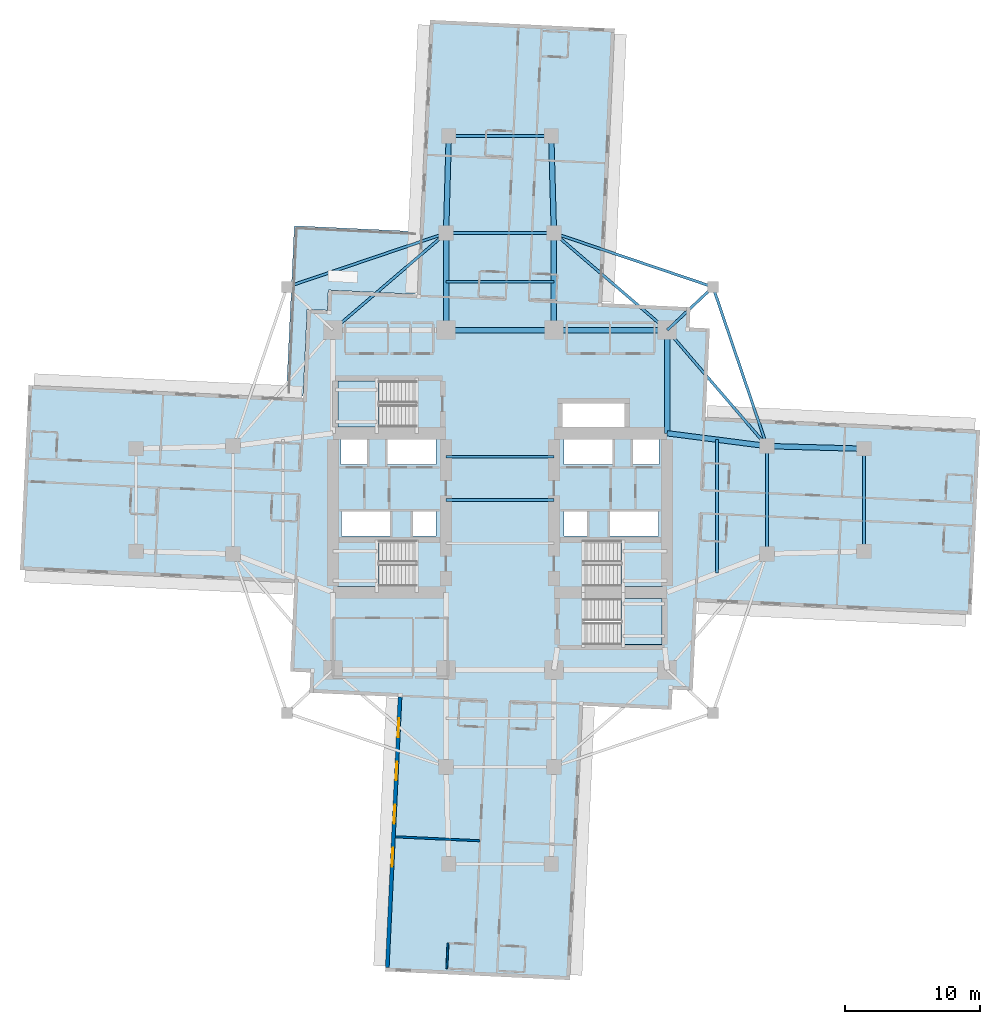
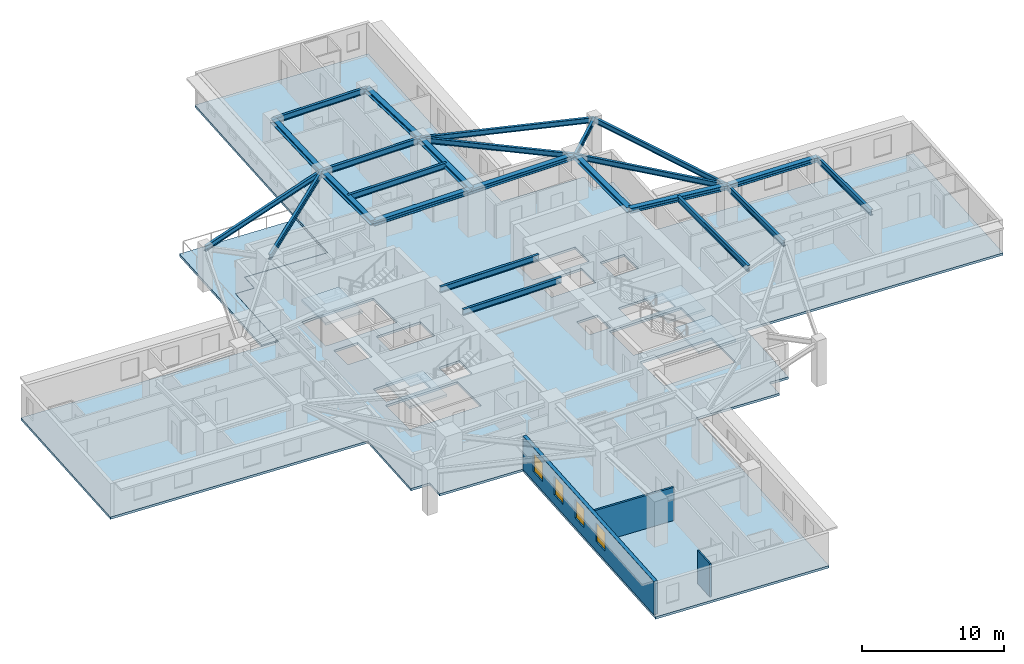
# One storey, part 2 of 13: 24 beams, 6 slabs, 4 windows, 3 walls, 4 openings, 4 elements without a shape of their own.
"""IFC4 building model written with IfcOpenShell, lengths in metres."""

from ifc_helpers import new_model, si_unit, direction, frame, frame_2d, origin, origin_2d, place, context, subcontext, project, spatial, polyline, rectangle, i_section, outline, extrude, material, layer, layer_set, material_profile, profile_set, type_object, element, fill, aggregate, save


model = new_model("IFC4")

# Units and contexts
model_context = context("Model", 3, precision=1e-05, world=origin(), true_north=direction((0.0, 1.0)))
body_context = subcontext(model_context, "Body", "Model", "MODEL_VIEW")
ifc_project = project(units=[si_unit("LENGTHUNIT", "METRE"), si_unit("AREAUNIT", "SQUARE_METRE"), si_unit("VOLUMEUNIT", "CUBIC_METRE"), si_unit("PLANEANGLEUNIT", "RADIAN"), si_unit("MASSUNIT", "GRAM", prefix="KILO")], contexts=[model_context])

# Site, building, storey
site_placement = place(None, origin())
site = spatial("IfcSite", under=ifc_project, at=site_placement, CompositionType="ELEMENT")
building_placement = place(site_placement, origin())
building = spatial("IfcBuilding", under=site, at=building_placement, Name="Qingluan Cross Belvedere", CompositionType="ELEMENT")
storey_placement = place(building_placement, frame((0.0, 0.0, 91.199951171875)))
storey = spatial("IfcBuildingStorey", under=building, at=storey_placement, Name="L23", CompositionType="ELEMENT", Elevation=91.199951171875)

# Beams
ifc_material_1 = material(Name="Steel Q420GJB", Category="steel")
ifc_material_profile_1 = material_profile(ifc_material_1, i_section(OverallWidth=0.199951171875, OverallDepth=0.449951171875, WebThickness=0.009033203125, FlangeThickness=0.013916015625, FilletRadius=0.01611328125, at=origin_2d()), Name="HN450x200x9x14")
ifc_profile_set_1 = profile_set([ifc_material_profile_1], Name="Steel Q420GJB")
beam_type_1 = type_object("IfcBeamType", Name="Steel_Beam_HN450x200x9x14", PredefinedType="JOIST", material=ifc_profile_set_1)
beam_1_placement = place(storey_placement, frame((12.39990234375, 12.60009765625, 3.425048828125), z_axis=(0.728219948308, 0.685343495546, 0.0), x_axis=(-0.685343495546, 0.728219948308, 0.0)))
element("IfcBeam", 1, at=beam_1_placement, inside=storey, type_object=beam_type_1, Name="Corner beam 1 L23-RNE", PredefinedType="JOIST", context=body_context, shape_type="SweptSolid", body=[
    extrude(i_section(OverallWidth=0.199951171875, OverallDepth=0.449951171875, WebThickness=0.009033203125, FlangeThickness=0.013916015625, FilletRadius=0.01611328125, at=origin_2d()), origin(), (0.0, 0.0, 1.0), 4.669189453125),
])
for number, where, z_axis, x_axis, name in (
    (2, (15.800048828125, 15.800048828125, 3.425048828125), (-0.947066283324, 0.321038089628, 0.0), (-0.321038089628, -0.947066283324, 0.0), "Corner beam 2 L23-RNE"),
    (3, (15.800048828125, 15.800048828125, 3.425048828125), (0.321038089628, -0.947066283324, 0.0), (0.947066283324, 0.321038089628, 0.0), "Corner beam 3 L23-RNE"),
):
    element("IfcBeam", number, at=place(storey_placement, frame(where, z_axis=z_axis, x_axis=x_axis)), inside=storey, type_object=beam_type_1, Name=name, PredefinedType="JOIST", context=body_context, shape_type="SweptSolid", body=[
        extrude(i_section(OverallWidth=0.199951171875, OverallDepth=0.449951171875, WebThickness=0.009033203125, FlangeThickness=0.013916015625, FilletRadius=0.01611328125, at=origin_2d()), origin(), (0.0, 0.0, 1.0), 12.45947265625),
    ])
beam_2_placement = place(storey_placement, frame((12.39990234375, 12.60009765625, 3.425048828125), z_axis=(0.652245077546, -0.75800815221, 0.0), x_axis=(0.75800815221, 0.652245077546, 0.0)))
element("IfcBeam", 4, at=beam_2_placement, inside=storey, type_object=beam_type_1, Name="Corner beam 4 L23-RNE", PredefinedType="JOIST", context=body_context, shape_type="SweptSolid", body=[
    extrude(i_section(OverallWidth=0.199951171875, OverallDepth=0.449951171875, WebThickness=0.009033203125, FlangeThickness=0.013916015625, FilletRadius=0.01611328125, at=origin_2d()), origin(), (0.0, 0.0, 1.0), 11.345703125),
])
beam_3_placement = place(storey_placement, frame((12.39990234375, 12.60009765625, 3.425048828125), z_axis=(-0.759255044656, 0.650793190779, 0.0), x_axis=(-0.650793190779, -0.759255044656, 0.0)))
element("IfcBeam", 5, at=beam_3_placement, inside=storey, type_object=beam_type_1, Name="Corner beam 5 L23-RNE", PredefinedType="JOIST", context=body_context, shape_type="SweptSolid", body=[
    extrude(i_section(OverallWidth=0.199951171875, OverallDepth=0.449951171875, WebThickness=0.009033203125, FlangeThickness=0.013916015625, FilletRadius=0.01611328125, at=origin_2d()), origin(), (0.0, 0.0, 1.0), 11.063232421875),
])
beam_4_placement = place(storey_placement, frame((-15.800048828125, 15.800048828125, 3.425048828125), z_axis=(0.947066283324, 0.321038089628, 0.0), x_axis=(-0.321038089628, 0.947066283324, 0.0)))
element("IfcBeam", 6, at=beam_4_placement, inside=storey, type_object=beam_type_1, Name="Corner beam 2 L23-RNW", PredefinedType="JOIST", context=body_context, shape_type="SweptSolid", body=[
    extrude(i_section(OverallWidth=0.199951171875, OverallDepth=0.449951171875, WebThickness=0.009033203125, FlangeThickness=0.013916015625, FilletRadius=0.01611328125, at=origin_2d()), origin(), (0.0, 0.0, 1.0), 12.45947265625),
])
beam_5_placement = place(storey_placement, frame((-12.39990234375, 12.60009765625, 3.425048828125), z_axis=(0.759255044656, 0.650793190779, 0.0), x_axis=(-0.650793190779, 0.759255044656, 0.0)))
element("IfcBeam", 7, at=beam_5_placement, inside=storey, type_object=beam_type_1, Name="Corner beam 5 L23-RNW", PredefinedType="JOIST", context=body_context, shape_type="SweptSolid", body=[
    extrude(i_section(OverallWidth=0.199951171875, OverallDepth=0.449951171875, WebThickness=0.009033203125, FlangeThickness=0.013916015625, FilletRadius=0.01611328125, at=origin_2d()), origin(), (0.0, 0.0, 1.0), 11.063232421875),
])
ifc_material_2 = material(Name="Steel Q420GJB", Category="steel")
ifc_material_profile_2 = material_profile(ifc_material_2, i_section(OverallWidth=0.199951171875, OverallDepth=0.5, WebThickness=0.010009765625, FlangeThickness=0.01611328125, FilletRadius=0.01611328125, at=origin_2d()), Name="HN500x200x10x16")
ifc_profile_set_2 = profile_set([ifc_material_profile_2], Name="Steel Q420GJB")
beam_type_2 = type_object("IfcBeamType", Name="Steel_Beam_HN500x200x10x16", PredefinedType="JOIST", material=ifc_profile_set_2)
for number, where, z_axis, x_axis, name in (
    (8, (-4.0, 0.0, 3.400146484375), (1.0, 0.0, 0.0), (0.0, 1.0, 0.0), "Hall beam L23-CH2"),
    (9, (-4.0, 3.199951171875, 3.400146484375), (1.0, 0.0, 0.0), (0.0, 1.0, 0.0), "Hall beam L23-CH3"),
    (10, (19.800048828125, -4.0, 3.400146484375), (0.0, 1.0, 0.0), (-1.0, 0.0, 0.0), "Arm E tie L23"),
):
    element("IfcBeam", number, at=place(storey_placement, frame(where, z_axis=z_axis, x_axis=x_axis)), inside=storey, type_object=beam_type_2, Name=name, PredefinedType="JOIST", context=body_context, shape_type="SweptSolid", body=[
        extrude(i_section(OverallWidth=0.199951171875, OverallDepth=0.5, WebThickness=0.010009765625, FlangeThickness=0.01611328125, FilletRadius=0.01611328125, at=origin_2d()), origin(), (0.0, 0.0, 1.0), 8.0),
    ])
beam_6_placement = place(storey_placement, frame((16.10009765625, -5.425048828125, 3.400146484375), z_axis=(0.0, 1.0, 0.0), x_axis=(-1.0, 0.0, 0.0)))
element("IfcBeam", 11, at=beam_6_placement, inside=storey, type_object=beam_type_2, Name="Arm E beam L23", PredefinedType="JOIST", context=body_context, shape_type="SweptSolid", body=[
    extrude(i_section(OverallWidth=0.199951171875, OverallDepth=0.5, WebThickness=0.010009765625, FlangeThickness=0.01611328125, FilletRadius=0.01611328125, at=origin_2d()), origin(), (0.0, 0.0, 1.0), 9.900146484375),
])
beam_7_placement = place(storey_placement, frame((27.0, -3.800048828125, 3.400146484375), z_axis=(0.0, 1.0, 0.0), x_axis=(-1.0, 0.0, 0.0)))
element("IfcBeam", 12, at=beam_7_placement, inside=storey, type_object=beam_type_2, Name="Arm E tip transverse beam L23", PredefinedType="JOIST", context=body_context, shape_type="SweptSolid", body=[
    extrude(i_section(OverallWidth=0.199951171875, OverallDepth=0.5, WebThickness=0.010009765625, FlangeThickness=0.01611328125, FilletRadius=0.01611328125, at=origin_2d()), origin(), (0.0, 0.0, 1.0), 7.60009765625),
])
for number, where, z_axis, x_axis, name in (
    (13, (-4.0, 19.800048828125, 3.400146484375), (1.0, 0.0, 0.0), (0.0, 1.0, 0.0), "Arm N tie L23"),
    (14, (-4.0, 16.199951171875, 3.400146484375), (1.0, 0.0, 0.0), (0.0, 1.0, 0.0), "Arm N beam L23"),
):
    element("IfcBeam", number, at=place(storey_placement, frame(where, z_axis=z_axis, x_axis=x_axis)), inside=storey, type_object=beam_type_2, Name=name, PredefinedType="JOIST", context=body_context, shape_type="SweptSolid", body=[
        extrude(i_section(OverallWidth=0.199951171875, OverallDepth=0.5, WebThickness=0.010009765625, FlangeThickness=0.01611328125, FilletRadius=0.01611328125, at=origin_2d()), origin(), (0.0, 0.0, 1.0), 8.0),
    ])
beam_8_placement = place(storey_placement, frame((-3.800048828125, 27.0, 3.400146484375), z_axis=(1.0, 0.0, 0.0), x_axis=(0.0, 1.0, 0.0)))
element("IfcBeam", 15, at=beam_8_placement, inside=storey, type_object=beam_type_2, Name="Arm N tip transverse beam L23", PredefinedType="JOIST", context=body_context, shape_type="SweptSolid", body=[
    extrude(i_section(OverallWidth=0.199951171875, OverallDepth=0.5, WebThickness=0.010009765625, FlangeThickness=0.01611328125, FilletRadius=0.01611328125, at=origin_2d()), origin(), (0.0, 0.0, 1.0), 7.60009765625),
])
ifc_material_3 = material(Name="Steel Q420GJB", Category="steel")
ifc_material_profile_3 = material_profile(ifc_material_3, i_section(OverallWidth=0.39990234375, OverallDepth=0.39990234375, WebThickness=0.012939453125, FlangeThickness=0.02099609375, FilletRadius=0.02197265625, at=origin_2d()), Name="HW400x400x13x21")
ifc_profile_set_3 = profile_set([ifc_material_profile_3], Name="Steel Q420GJB")
beam_type_3 = type_object("IfcBeamType", Name="Steel_Girder_HW400x400x13x21", PredefinedType="USERDEFINED", material=ifc_profile_set_3)
beam_9_placement = place(storey_placement, frame((-4.0, 12.60009765625, 3.449951171875), z_axis=(1.0, 0.0, 0.0), x_axis=(0.0, 1.0, 0.0)))
element("IfcBeam", 16, at=beam_9_placement, inside=storey, type_object=beam_type_3, Name="Hub girder L23-HG-N2", ObjectType="GIRDER", PredefinedType="USERDEFINED", context=body_context, shape_type="SweptSolid", body=[
    extrude(i_section(OverallWidth=0.39990234375, OverallDepth=0.39990234375, WebThickness=0.012939453125, FlangeThickness=0.02099609375, FilletRadius=0.02197265625, at=origin_2d()), origin(), (0.0, 0.0, 1.0), 8.0),
])
beam_10_placement = place(storey_placement, frame((4.0, 12.60009765625, 3.449951171875), z_axis=(1.0, 0.0, 0.0), x_axis=(0.0, 1.0, 0.0)))
element("IfcBeam", 17, at=beam_10_placement, inside=storey, type_object=beam_type_3, Name="Hub girder L23-HG-N3", ObjectType="GIRDER", PredefinedType="USERDEFINED", context=body_context, shape_type="SweptSolid", body=[
    extrude(i_section(OverallWidth=0.39990234375, OverallDepth=0.39990234375, WebThickness=0.012939453125, FlangeThickness=0.02099609375, FilletRadius=0.02197265625, at=origin_2d()), origin(), (0.0, 0.0, 1.0), 8.39990234375),
])
beam_11_placement = place(storey_placement, frame((12.39990234375, 4.949951171875, 3.449951171875), z_axis=(0.0, 1.0, 0.0), x_axis=(-1.0, 0.0, 0.0)))
element("IfcBeam", 18, at=beam_11_placement, inside=storey, type_object=beam_type_3, Name="Hub girder L23-HG-E2", ObjectType="GIRDER", PredefinedType="USERDEFINED", context=body_context, shape_type="SweptSolid", body=[
    extrude(i_section(OverallWidth=0.39990234375, OverallDepth=0.39990234375, WebThickness=0.012939453125, FlangeThickness=0.02099609375, FilletRadius=0.02197265625, at=origin_2d()), origin(), (0.0, 0.0, 1.0), 7.650146484375),
])
beam_12_placement = place(storey_placement, frame((12.39990234375, 4.949951171875, 3.449951171875), z_axis=(0.991861120628, -0.12732445714, 0.0), x_axis=(0.12732445714, 0.991861120628, 0.0)))
element("IfcBeam", 19, at=beam_12_placement, inside=storey, type_object=beam_type_3, Name="Arm E radial girder B L23", ObjectType="GIRDER", PredefinedType="USERDEFINED", context=body_context, shape_type="SweptSolid", body=[
    extrude(i_section(OverallWidth=0.39990234375, OverallDepth=0.39990234375, WebThickness=0.012939453125, FlangeThickness=0.02099609375, FilletRadius=0.02197265625, at=origin_2d()), origin(), (0.0, 0.0, 1.0), 7.4609375),
])
beam_13_placement = place(storey_placement, frame((19.800048828125, 4.0, 3.449951171875), z_axis=(0.999614603568, -0.027760481514, 0.0), x_axis=(0.027760481514, 0.999614603568, 0.0)))
element("IfcBeam", 20, at=beam_13_placement, inside=storey, type_object=beam_type_3, Name="Arm E outer radial girder B L23", ObjectType="GIRDER", PredefinedType="USERDEFINED", context=body_context, shape_type="SweptSolid", body=[
    extrude(i_section(OverallWidth=0.39990234375, OverallDepth=0.39990234375, WebThickness=0.012939453125, FlangeThickness=0.02099609375, FilletRadius=0.02197265625, at=origin_2d()), origin(), (0.0, 0.0, 1.0), 7.20263671875),
])
for number, where, z_axis, x_axis, name in (
    (21, (-4.0, 12.60009765625, 3.449951171875), (0.0, 1.0, 0.0), (-1.0, 0.0, 0.0), "Arm N radial girder A L23"),
    (22, (4.0, 12.60009765625, 3.449951171875), (0.0, 1.0, 0.0), (-1.0, 0.0, 0.0), "Arm N radial girder B L23"),
):
    element("IfcBeam", number, at=place(storey_placement, frame(where, z_axis=z_axis, x_axis=x_axis)), inside=storey, type_object=beam_type_3, Name=name, ObjectType="GIRDER", PredefinedType="USERDEFINED", context=body_context, shape_type="SweptSolid", body=[
        extrude(i_section(OverallWidth=0.39990234375, OverallDepth=0.39990234375, WebThickness=0.012939453125, FlangeThickness=0.02099609375, FilletRadius=0.02197265625, at=origin_2d()), origin(), (0.0, 0.0, 1.0), 7.199951171875),
    ])
for number, where, z_axis, x_axis, name in (
    (23, (-4.0, 19.800048828125, 3.449951171875), (0.027760481514, 0.999614603568, 0.0), (-0.999614603568, 0.027760481514, 0.0), "Arm N outer radial girder A L23"),
    (24, (4.0, 19.800048828125, 3.449951171875), (-0.027760481514, 0.999614603568, 0.0), (-0.999614603568, -0.027760481514, 0.0), "Arm N outer radial girder B L23"),
):
    element("IfcBeam", number, at=place(storey_placement, frame(where, z_axis=z_axis, x_axis=x_axis)), inside=storey, type_object=beam_type_3, Name=name, ObjectType="GIRDER", PredefinedType="USERDEFINED", context=body_context, shape_type="SweptSolid", body=[
        extrude(i_section(OverallWidth=0.39990234375, OverallDepth=0.39990234375, WebThickness=0.012939453125, FlangeThickness=0.02099609375, FilletRadius=0.02197265625, at=origin_2d()), origin(), (0.0, 0.0, 1.0), 7.20263671875),
    ])

# Slab
ifc_material_4 = material(Name="Concrete C40", Category="concrete")
ifc_layer_1 = layer(ifc_material_4, 0.199951171875, Name="FloorSlab_200")
ifc_layer_set_1 = layer_set([ifc_layer_1], Name="Concrete C40")
slab_type_1 = type_object("IfcSlabType", Name="FloorSlab_200", PredefinedType="FLOOR", material=ifc_layer_set_1)
slab_1_placement = place(storey_placement, frame((0.0, 0.0, -0.199951171875)))
element("IfcSlab", 25, at=slab_1_placement, inside=storey, type_object=slab_type_1, Name="Structural floor slab L23", PredefinedType="FLOOR", context=body_context, shape_type="SweptSolid", body=[
    extrude(outline(polyline([(5.188720703125, -35.60400390625), (6.148681640625, -15.24658203125), (12.72119140625, -15.556396484375), (12.7919921875, -14.05810546875), (14.290283203125, -14.12890625), (14.600341796875, -7.55615234375), (34.95751953125, -8.51611328125), (35.60400390625, 5.188720703125), (15.24658203125, 6.148681640625), (15.556396484375, 12.72119140625), (14.05810546875, 12.7919921875), (14.12890625, 14.290283203125), (7.55615234375, 14.600341796875), (8.51611328125, 34.95751953125), (-5.188720703125, 35.60400390625), (-6.148681640625, 15.24658203125), (-12.72119140625, 15.556396484375), (-12.7919921875, 14.05810546875), (-14.290283203125, 14.12890625), (-14.600341796875, 7.55615234375), (-34.95751953125, 8.51611328125), (-35.60400390625, -5.188720703125), (-15.24658203125, -6.148681640625), (-15.556396484375, -12.72119140625), (-14.05810546875, -12.7919921875), (-14.12890625, -14.290283203125), (-7.55615234375, -14.600341796875), (-8.51611328125, -34.95751953125), (5.188720703125, -35.60400390625)]), holes=[polyline([(-12.0, -3.0), (-6.179931640625, -3.0), (-6.179931640625, -6.39990234375), (-12.0, -6.39990234375), (-12.0, -3.0)]), polyline([(6.179931640625, -3.0), (12.0, -3.0), (12.0, -6.39990234375), (6.179931640625, -6.39990234375), (6.179931640625, -3.0)]), polyline([(-12.0, 8.820068359375), (-6.179931640625, 8.820068359375), (-6.179931640625, 5.419921875), (-12.0, 5.419921875), (-12.0, 8.820068359375)]), polyline([(6.179931640625, -7.320068359375), (12.0, -7.320068359375), (12.0, -10.719970703125), (6.179931640625, -10.719970703125), (6.179931640625, -7.320068359375)]), polyline([(-11.800048828125, 4.64990234375), (-9.85009765625, 4.64990234375), (-9.85009765625, 2.64990234375), (-11.800048828125, 2.64990234375), (-11.800048828125, 4.64990234375)]), polyline([(-8.35009765625, 4.64990234375), (-4.75, 4.64990234375), (-4.75, 2.64990234375), (-8.35009765625, 2.64990234375), (-8.35009765625, 4.64990234375)]), polyline([(4.75, 4.64990234375), (8.35009765625, 4.64990234375), (8.35009765625, 2.64990234375), (4.75, 2.64990234375), (4.75, 4.64990234375)]), polyline([(9.85009765625, 4.64990234375), (11.800048828125, 4.64990234375), (11.800048828125, 2.64990234375), (9.85009765625, 2.64990234375), (9.85009765625, 4.64990234375)]), polyline([(-11.75, -0.840087890625), (-8.14990234375, -0.840087890625), (-8.14990234375, -2.659912109375), (-11.75, -2.659912109375), (-11.75, -0.840087890625)]), polyline([(-6.449951171875, -0.840087890625), (-4.75, -0.840087890625), (-4.75, -2.659912109375), (-6.449951171875, -2.659912109375), (-6.449951171875, -0.840087890625)]), polyline([(4.75, -0.840087890625), (6.449951171875, -0.840087890625), (6.449951171875, -2.659912109375), (4.75, -2.659912109375), (4.75, -0.840087890625)]), polyline([(8.14990234375, -0.840087890625), (11.75, -0.840087890625), (11.75, -2.659912109375), (8.14990234375, -2.659912109375), (8.14990234375, -0.840087890625)]), polyline([(4.64990234375, 7.14990234375), (9.25, 7.14990234375), (9.25, 5.14990234375), (4.64990234375, 5.14990234375), (4.64990234375, 7.14990234375)])]), origin(), (0.0, 0.0, 1.0), 0.199951171875),
])

# Stair, slab
ifc_material_5 = material(Name="Concrete C40", Category="concrete")
stair_type = type_object("IfcStairType", Name="CoreDoglegStair_1620", PredefinedType="HALF_TURN_STAIR", material=ifc_material_5)
stair_1_placement = place(storey_placement, origin())
stair_1 = element("IfcStair", 26, at=stair_1_placement, inside=storey, type_object=stair_type, Name="L23 ST1", PredefinedType="HALF_TURN_STAIR")
ifc_material_6 = material(Name="Concrete C40", Category="concrete")
ifc_layer_2 = layer(ifc_material_6, 0.179931640625, Name="StairLandingSlab_180")
ifc_layer_set_2 = layer_set([ifc_layer_2], Name="Concrete C40")
slab_type_2 = type_object("IfcSlabType", Name="StairLandingSlab_180", PredefinedType="LANDING", material=ifc_layer_set_2)
slab_2_placement = place(storey_placement, frame((0.0, 0.0, 1.75)))
slab_2 = element("IfcSlab", 27, at=slab_2_placement, type_object=slab_type_2, Name="ST1 landing 1", PredefinedType="LANDING", context=body_context, shape_type="SweptSolid", body=[
    extrude(outline(polyline([(-8.97998046875, -3.0), (-12.0, -3.0), (-12.0, -6.39990234375), (-8.97998046875, -6.39990234375), (-8.97998046875, -3.0)])), origin(), (0.0, 0.0, 1.0), 0.199951171875),
])
aggregate(stair_1, [slab_2])

stair_2_placement = place(storey_placement, origin())
stair_2 = element("IfcStair", 28, at=stair_2_placement, inside=storey, type_object=stair_type, Name="L23 ST2", PredefinedType="HALF_TURN_STAIR")
slab_3_placement = place(storey_placement, frame((0.0, 0.0, 1.75)))
slab_3 = element("IfcSlab", 29, at=slab_3_placement, type_object=slab_type_2, Name="ST2 landing 1", PredefinedType="LANDING", context=body_context, shape_type="SweptSolid", body=[
    extrude(outline(polyline([(8.97998046875, -6.39990234375), (12.0, -6.39990234375), (12.0, -3.0), (8.97998046875, -3.0), (8.97998046875, -6.39990234375)])), origin(), (0.0, 0.0, 1.0), 0.199951171875),
])
aggregate(stair_2, [slab_3])

stair_3_placement = place(storey_placement, origin())
stair_3 = element("IfcStair", 30, at=stair_3_placement, inside=storey, type_object=stair_type, Name="L23 ST3", PredefinedType="HALF_TURN_STAIR")
slab_4_placement = place(storey_placement, frame((0.0, 0.0, 1.75)))
slab_4 = element("IfcSlab", 31, at=slab_4_placement, type_object=slab_type_2, Name="ST3 landing 1", PredefinedType="LANDING", context=body_context, shape_type="SweptSolid", body=[
    extrude(outline(polyline([(-8.97998046875, 8.820068359375), (-12.0, 8.820068359375), (-12.0, 5.419921875), (-8.97998046875, 5.419921875), (-8.97998046875, 8.820068359375)])), origin(), (0.0, 0.0, 1.0), 0.199951171875),
])
aggregate(stair_3, [slab_4])

stair_4_placement = place(storey_placement, origin())
stair_4 = element("IfcStair", 32, at=stair_4_placement, inside=storey, type_object=stair_type, Name="L23 ST4", PredefinedType="HALF_TURN_STAIR")
slab_5_placement = place(storey_placement, frame((0.0, 0.0, 1.75)))
slab_5 = element("IfcSlab", 33, at=slab_5_placement, type_object=slab_type_2, Name="ST4 landing 1", PredefinedType="LANDING", context=body_context, shape_type="SweptSolid", body=[
    extrude(outline(polyline([(8.97998046875, -10.719970703125), (12.0, -10.719970703125), (12.0, -7.320068359375), (8.97998046875, -7.320068359375), (8.97998046875, -10.719970703125)])), origin(), (0.0, 0.0, 1.0), 0.199951171875),
])
aggregate(stair_4, [slab_5])

# Slab
ifc_material_7 = material(Name="Concrete C40", Category="concrete")
ifc_layer_3 = layer(ifc_material_7, 0.219970703125, Name="TerraceSlab_220")
ifc_layer_set_3 = layer_set([ifc_layer_3], Name="Concrete C40")
slab_type_3 = type_object("IfcSlabType", Name="TerraceSlab_220", PredefinedType="FLOOR", material=ifc_layer_set_3)
slab_6_placement = place(storey_placement, frame((0.0, 0.0, -0.219970703125)))
element("IfcSlab", 34, at=slab_6_placement, inside=storey, type_object=slab_type_3, Name="Spiralling winter-garden terrace slab L23", PredefinedType="FLOOR", context=body_context, shape_type="SweptSolid", body=[
    extrude(outline(polyline([(-14.603759765625, 7.696533203125), (-14.29833984375, 14.134765625), (-12.801513671875, 14.068603515625), (-12.731201171875, 15.556884765625), (-12.722900390625, 15.56640625), (-6.2880859375, 15.26318359375), (-6.06884765625, 19.907958984375), (-15.2587890625, 20.34130859375), (-15.852294921875, 7.75537109375), (-14.603759765625, 7.696533203125)])), origin(), (0.0, 0.0, 1.0), 0.219970703125),
])

# Walls
ifc_material_8 = material(Name="Gypsum plasterboard on steel stud acoustic partition", Category="steel")
ifc_layer_4 = layer(ifc_material_8, 0.159912109375, Name="CorridorPartition_160")
ifc_layer_set_4 = layer_set([ifc_layer_4], Name="Gypsum plasterboard on steel stud acoustic partition")
wall_type_1 = type_object("IfcWallType", Name="CorridorPartition_160", PredefinedType="PARTITIONING", material=ifc_layer_set_4)
wall_1_placement = place(storey_placement, frame((-1.472412109375, -25.27880859375, 0.0), z_axis=(0.0, 0.0, 1.0), x_axis=(-0.998889891508, 0.047106099844, 0.0)))
element("IfcWall", 35, at=wall_1_placement, inside=storey, type_object=wall_type_1, Name="Partition L23:S:d1_0", PredefinedType="PARTITIONING", context=body_context, shape_type="SweptSolid", body=[
    extrude(rectangle(XDim=6.2919921875, YDim=0.159912109375, at=frame_2d((3.14599609375, 0.0))), origin(), (0.0, 0.0, 1.0), 2.85009765625),
])
ifc_material_9 = material(Name="Moisture-resistant gypsum board lining")
ifc_layer_5 = layer(ifc_material_9, 0.1201171875, Name="EnsuiteWetPartition_120")
ifc_layer_set_5 = layer_set([ifc_layer_5], Name="Moisture-resistant gypsum board lining")
wall_type_2 = type_object("IfcWallType", Name="EnsuiteWetPartition_120", PredefinedType="PARTITIONING", material=ifc_layer_set_5)
wall_2_placement = place(storey_placement, frame((-3.85791015625, -32.874755859375, 0.0), z_axis=(0.0, 0.0, 1.0), x_axis=(-0.047139425368, -0.998888319371, 0.0)))
element("IfcWall", 36, at=wall_2_placement, inside=storey, type_object=wall_type_2, Name="Partition L23:S:bc1_1", PredefinedType="PARTITIONING", context=body_context, shape_type="SweptSolid", body=[
    extrude(rectangle(XDim=1.880126953125, YDim=0.1201171875, at=frame_2d((0.93994140625, 0.0))), origin(), (0.0, 0.0, 1.0), 2.85009765625),
])

# Wall, openings, windows
ifc_material_10 = material(Name="Precast concrete C45", Category="concrete")
ifc_layer_6 = layer(ifc_material_10, 0.280029296875, Name="PrecastFacadeWall_280")
ifc_layer_set_6 = layer_set([ifc_layer_6], Name="Precast concrete C45")
wall_type_3 = type_object("IfcWallType", Name="PrecastFacadeWall_280", PredefinedType="STANDARD", material=ifc_layer_set_6)
wall_3_placement = place(storey_placement, frame((-7.416259765625, -14.60693359375, 0.0), z_axis=(0.0, 0.0, 1.0), x_axis=(-0.047103473814, -0.998890015344, 0.0)))
wall_3 = element("IfcWall", 37, at=wall_3_placement, inside=storey, type_object=wall_type_3, Name="Facade wall L23-SA", PredefinedType="STANDARD", context=body_context, shape_type="SweptSolid", body=[
    extrude(rectangle(XDim=20.099853515625, YDim=0.280029296875, at=frame_2d((10.0498046875, 0.0))), origin(), (0.0, 0.0, 1.0), 2.860107421875),
])
opening_1_placement = place(wall_3_placement, frame((1.60009765625, 0.0, 0.800048828125)))
opening_1 = element("IfcOpeningElement", 38, at=opening_1_placement, cuts=wall_3, Name="Opening W-01", PredefinedType="OPENING", context=body_context, shape_type="SweptSolid", body=[
    extrude(rectangle(XDim=1.39990234375, YDim=1.60009765625, at=frame_2d((0.699951171875, 0.800048828125))), frame((0.0, 0.14990234375, 0.0), z_axis=(0.0, -1.0, 0.0), x_axis=(1.0, 0.0, 0.0)), (0.0, 0.0, 1.0), 0.300048828125),
])
opening_2_placement = place(wall_3_placement, frame((4.800048828125, 0.0, 0.800048828125)))
opening_2 = element("IfcOpeningElement", 39, at=opening_2_placement, cuts=wall_3, Name="Opening W-01", PredefinedType="OPENING", context=body_context, shape_type="SweptSolid", body=[
    extrude(rectangle(XDim=1.39990234375, YDim=1.60009765625, at=frame_2d((0.699951171875, 0.800048828125))), frame((0.0, 0.14990234375, 0.0), z_axis=(0.0, -1.0, 0.0), x_axis=(1.0, 0.0, 0.0)), (0.0, 0.0, 1.0), 0.300048828125),
])
opening_3_placement = place(wall_3_placement, frame((8.0, 0.0, 0.800048828125)))
opening_3 = element("IfcOpeningElement", 40, at=opening_3_placement, cuts=wall_3, Name="Opening W-01", PredefinedType="OPENING", context=body_context, shape_type="SweptSolid", body=[
    extrude(rectangle(XDim=1.39990234375, YDim=1.60009765625, at=frame_2d((0.699951171875, 0.800048828125))), frame((0.0, 0.14990234375, 0.0), z_axis=(0.0, -1.0, 0.0), x_axis=(1.0, 0.0, 0.0)), (0.0, 0.0, 1.0), 0.300048828125),
])
opening_4_placement = place(wall_3_placement, frame((11.199951171875, 0.0, 0.800048828125)))
opening_4 = element("IfcOpeningElement", 41, at=opening_4_placement, cuts=wall_3, Name="Opening W-01", PredefinedType="OPENING", context=body_context, shape_type="SweptSolid", body=[
    extrude(rectangle(XDim=1.39990234375, YDim=1.60009765625, at=frame_2d((0.699951171875, 0.800048828125))), frame((0.0, 0.14990234375, 0.0), z_axis=(0.0, -1.0, 0.0), x_axis=(1.0, 0.0, 0.0)), (0.0, 0.0, 1.0), 0.300048828125),
])
ifc_material_11 = material(Name="Thermally broken triple Low-E glass in aluminium frame", Category="aluminium")
window_type = type_object("IfcWindowType", Name="TriRibbonWin_1400x1600", PartitioningType="SINGLE_PANEL", PredefinedType="WINDOW", material=ifc_material_11)
window_1_placement = place(opening_1_placement, origin())
window_1 = element("IfcWindow", 42, at=window_1_placement, inside=storey, type_object=window_type, Name="Ribbon window L23-SA-1", OverallHeight=1.60009765625, OverallWidth=1.39990234375, PartitioningType="SINGLE_PANEL", PredefinedType="WINDOW", context=body_context, shape_type="SweptSolid", body=[
    extrude(rectangle(XDim=1.39990234375, YDim=1.60009765625, at=frame_2d((0.699951171875, 0.800048828125))), frame((0.0, 0.030029296875, 0.0), z_axis=(0.0, -1.0, 0.0), x_axis=(1.0, 0.0, 0.0)), (0.0, 0.0, 1.0), 0.06005859375),
])
fill(opening_1, window_1)
window_2_placement = place(opening_2_placement, origin())
window_2 = element("IfcWindow", 43, at=window_2_placement, inside=storey, type_object=window_type, Name="Ribbon window L23-SA-2", OverallHeight=1.60009765625, OverallWidth=1.39990234375, PartitioningType="SINGLE_PANEL", PredefinedType="WINDOW", context=body_context, shape_type="SweptSolid", body=[
    extrude(rectangle(XDim=1.39990234375, YDim=1.60009765625, at=frame_2d((0.699951171875, 0.800048828125))), frame((0.0, 0.030029296875, 0.0), z_axis=(0.0, -1.0, 0.0), x_axis=(1.0, 0.0, 0.0)), (0.0, 0.0, 1.0), 0.06005859375),
])
fill(opening_2, window_2)
window_3_placement = place(opening_3_placement, origin())
window_3 = element("IfcWindow", 44, at=window_3_placement, inside=storey, type_object=window_type, Name="Ribbon window L23-SA-3", OverallHeight=1.60009765625, OverallWidth=1.39990234375, PartitioningType="SINGLE_PANEL", PredefinedType="WINDOW", context=body_context, shape_type="SweptSolid", body=[
    extrude(rectangle(XDim=1.39990234375, YDim=1.60009765625, at=frame_2d((0.699951171875, 0.800048828125))), frame((0.0, 0.030029296875, 0.0), z_axis=(0.0, -1.0, 0.0), x_axis=(1.0, 0.0, 0.0)), (0.0, 0.0, 1.0), 0.06005859375),
])
fill(opening_3, window_3)
window_4_placement = place(opening_4_placement, origin())
window_4 = element("IfcWindow", 45, at=window_4_placement, inside=storey, type_object=window_type, Name="Ribbon window L23-SA-4", OverallHeight=1.60009765625, OverallWidth=1.39990234375, PartitioningType="SINGLE_PANEL", PredefinedType="WINDOW", context=body_context, shape_type="SweptSolid", body=[
    extrude(rectangle(XDim=1.39990234375, YDim=1.60009765625, at=frame_2d((0.699951171875, 0.800048828125))), frame((0.0, 0.030029296875, 0.0), z_axis=(0.0, -1.0, 0.0), x_axis=(1.0, 0.0, 0.0)), (0.0, 0.0, 1.0), 0.06005859375),
])
fill(opening_4, window_4)

save(model, "model.ifc")
